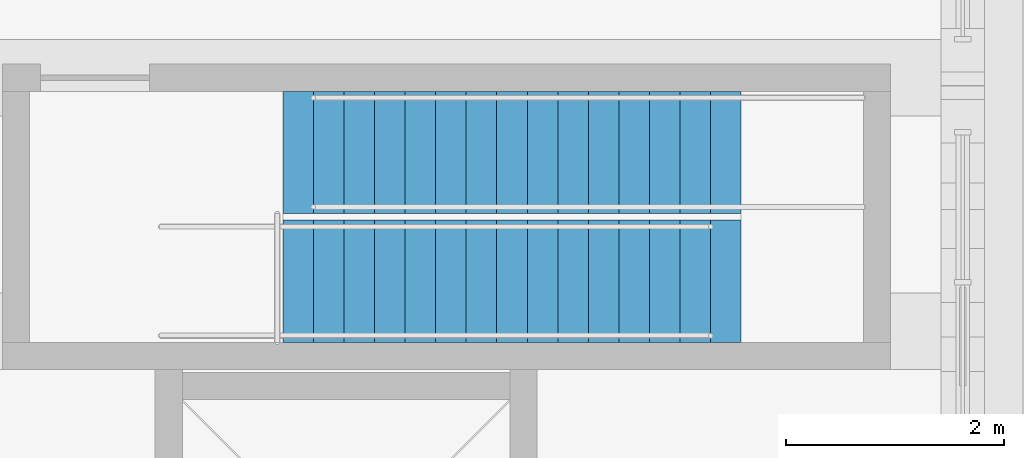
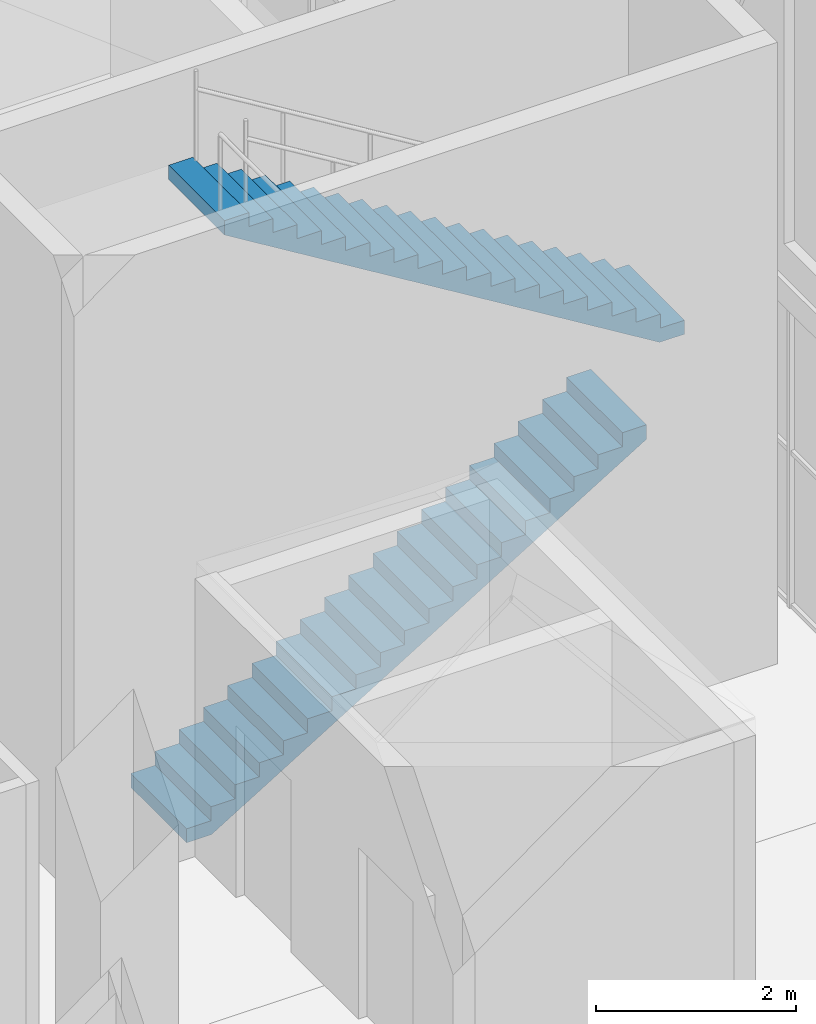
# One storey, part 104 of 130: 2 stair flights, 1 element without a shape of its own.
"""IFC4 building model written with IfcOpenShell, lengths in metres."""

import ifcopenshell
import ifcopenshell.guid

model = None  # the IFC model being written
_history = None  # IfcOwnerHistory: only IFC2X3 demands one
_inside = {}  # id of a spatial element -> (the spatial element, [elements in it])
_under = {}  # id of a project, library or spatial element -> (it, [spatial elements below it])
_declared = {}  # id of a project -> (the project, [libraries it declares])
_typed = {}  # id of a type object -> (the type object, [elements of that type])
_made_of = {}  # id of a material, layer set ... -> (it, [elements and type objects made of it])


def new_model(schema):
    """Start an empty IFC model of exactly this schema.

    Asked for "IFC4X3", IfcOpenShell would pick the latest addendum, in which some entities
    have other attributes; the version numbers below select the first issue.
    IFC2X3 requires an IfcOwnerHistory on every rooted entity: one is made here for all.
    """
    global model, _history
    if schema == "IFC4X3":
        model = ifcopenshell.file(schema_version=(4, 3, 0, 0))
    else:
        model = ifcopenshell.file(schema=schema)
    _inside.clear()
    _under.clear()
    _declared.clear()
    _typed.clear()
    _made_of.clear()
    _history = None
    if model.schema == "IFC2X3":
        org = make("IfcOrganization", Name="unknown")
        user = make(
            "IfcPersonAndOrganization",
            ThePerson=make("IfcPerson", FamilyName="unknown"),
            TheOrganization=org,
        )
        app = make(
            "IfcApplication",
            ApplicationDeveloper=org,
            Version="unknown",
            ApplicationFullName="unknown",
            ApplicationIdentifier="unknown",
        )
        _history = make(
            "IfcOwnerHistory",
            OwningUser=user,
            OwningApplication=app,
            ChangeAction="ADDED",
            CreationDate=0,
        )
    return model


def make(cls, **values):
    """One entity of the class cls with the attributes given. An attribute that is None is left unset."""
    return model.create_entity(
        cls, **{name: value for name, value in values.items() if value is not None}
    )


def rooted(cls, **values):
    """An entity with a GlobalId (a new one), such as an element, a storey or a relation."""
    return make(cls, GlobalId=ifcopenshell.guid.new(), OwnerHistory=_history, **values)


def si_unit(unit_type, name, prefix=None):
    """IfcSIUnit, for example si_unit("LENGTHUNIT", "METRE", prefix="MILLI")."""
    return make("IfcSIUnit", UnitType=unit_type, Prefix=prefix, Name=name)


def assignment(units):
    """IfcUnitAssignment: the units of a project."""
    return None if units is None else make("IfcUnitAssignment", Units=units)


def point(xyz):
    """IfcCartesianPoint."""
    return None if xyz is None else make("IfcCartesianPoint", Coordinates=xyz)


def direction(xyz):
    """IfcDirection."""
    return None if xyz is None else make("IfcDirection", DirectionRatios=xyz)


def frame(location, z_axis=None, x_axis=None):
    """IfcAxis2Placement3D, a coordinate frame: its origin and axes. An axis left out is left unset."""
    return make(
        "IfcAxis2Placement3D",
        Location=point(location),
        Axis=direction(z_axis),
        RefDirection=direction(x_axis),
    )


def origin():
    """The frame at (0, 0, 0) with its axes left unset."""
    return frame((0.0, 0.0, 0.0))


def place(relative_to, where):
    """IfcLocalPlacement: puts the frame where relative to a parent placement (None: the world)."""
    return make(
        "IfcLocalPlacement", PlacementRelTo=relative_to, RelativePlacement=where
    )


def context(
    kind, dimensions, precision=None, world=None, true_north=None, identifier=None
):
    """IfcGeometricRepresentationContext, for example the 3D "Model" context."""
    return make(
        "IfcGeometricRepresentationContext",
        ContextIdentifier=identifier,
        ContextType=kind,
        CoordinateSpaceDimension=dimensions,
        Precision=precision,
        WorldCoordinateSystem=world,
        TrueNorth=true_north,
    )


def subcontext(parent, identifier, kind, view, scale=None):
    """IfcGeometricRepresentationSubContext, for example "Body" below "Model"."""
    return make(
        "IfcGeometricRepresentationSubContext",
        ContextIdentifier=identifier,
        ContextType=kind,
        ParentContext=parent,
        TargetScale=scale,
        TargetView=view,
    )


def project(units=None, contexts=None):
    """IfcProject with its units and contexts."""
    return rooted(
        "IfcProject",
        Name="project",
        RepresentationContexts=contexts,
        UnitsInContext=assignment(units),
    )


def spatial(cls, under=None, at=None, **own):
    """A site, building, storey or space (cls), placed at a placement, below another one or the project."""
    s = rooted(cls, ObjectPlacement=at, **own)
    if under is not None:
        _under.setdefault(under.id(), (under, []))[1].append(s)
    return s


def faces_of(points, faces, orient=None, outer=None):
    """IfcFace entities. A face is a list of loops; a loop is a list of indices into points, from 0.

    orient and outer hold one flag for each loop. By default every Orientation is true, the
    first loop of a face is its IfcFaceOuterBound and the others are IfcFaceBound.
    """
    made = []
    for i, loops in enumerate(faces):
        bounds = []
        for j, loop in enumerate(loops):
            is_outer = j == 0 if outer is None else outer[i][j]
            bounds.append(
                make(
                    "IfcFaceOuterBound" if is_outer else "IfcFaceBound",
                    Bound=make("IfcPolyLoop", Polygon=[points[k] for k in loop]),
                    Orientation=True if orient is None else orient[i][j],
                )
            )
        made.append(make("IfcFace", Bounds=bounds))
    return made


def faceted_brep(points, faces, orient=None, outer=None, voids=None):
    """IfcFacetedBrep: a solid bounded by flat faces; with voids (closed shells), ...WithVoids."""
    shared = [point(p) for p in points]
    hull = make("IfcClosedShell", CfsFaces=faces_of(shared, faces, orient, outer))
    if voids is None:
        return make("IfcFacetedBrep", Outer=hull)
    return make(
        "IfcFacetedBrepWithVoids",
        Outer=hull,
        Voids=[
            make(cls, CfsFaces=faces_of(shared, fs, o, b)) for cls, fs, o, b in voids
        ],
    )


def shape(context_of_items, identifier, shape_type, items):
    """IfcShapeRepresentation: the items that make up one representation, for example the "Body"."""
    return make(
        "IfcShapeRepresentation",
        ContextOfItems=context_of_items,
        RepresentationIdentifier=identifier,
        RepresentationType=shape_type,
        Items=items,
    )


def material(Name=None, Category=None):
    """IfcMaterial."""
    return make("IfcMaterial", Name=Name, Category=Category)


def made_of(thing, what):
    """Note that an element or type object is made of a material, layer set ...; save() writes the relation."""
    if what is not None:
        _made_of.setdefault(what.id(), (what, []))[1].append(thing)
    return thing


def type_object(cls, material=None, **own):
    """A type object (cls), such as IfcWallType, which elements share."""
    return made_of(rooted(cls, **own), material)


def element(
    cls,
    number,
    at=None,
    inside=None,
    cuts=None,
    type_object=None,
    material=None,
    context=None,
    identifier="Body",
    shape_type=None,
    held_by="IfcProductDefinitionShape",
    body=None,
    shapes=None,
    **own,
):
    """One element of the class cls, such as IfcWall. Its Tag is "e" and its number.

    at: its placement. inside: the storey or other place that contains it. cuts: it is an
    opening in that element (IfcRelVoidsElement). A single representation is given by context,
    identifier, shape_type and body (its items); several are given by shapes. held_by: the class
    of the entity that holds the representations. save() writes the other relations.
    """
    e = rooted(cls, Tag="e%d" % number, ObjectPlacement=at, **own)
    if body is not None:
        shapes = [shape(context, identifier, shape_type, body)]
    if shapes is not None:
        e.Representation = make(held_by, Representations=shapes)
    if inside is not None:
        _inside.setdefault(inside.id(), (inside, []))[1].append(e)
    if cuts is not None:
        rooted(
            "IfcRelVoidsElement", RelatingBuildingElement=cuts, RelatedOpeningElement=e
        )
    if type_object is not None:
        _typed.setdefault(type_object.id(), (type_object, []))[1].append(e)
    return made_of(e, material)


def aggregate(whole, parts):
    """IfcRelAggregates: a whole, such as a stair, and the parts it consists of."""
    return rooted("IfcRelAggregates", RelatingObject=whole, RelatedObjects=parts)


def save(model, path):
    """Write the relations noted so far, then the file.

    IfcRelAggregates (storeys below a building ...), IfcRelContainedInSpatialStructure (elements
    in a storey), IfcRelDefinesByType, IfcRelAssociatesMaterial and IfcRelDeclares: one each for
    every whole, place, type object, material and project.
    """
    for whole, parts in _under.values():
        aggregate(whole, parts)
    for where, things in _inside.values():
        rooted(
            "IfcRelContainedInSpatialStructure",
            RelatedElements=things,
            RelatingStructure=where,
        )
    for kind, things in _typed.values():
        rooted("IfcRelDefinesByType", RelatedObjects=things, RelatingType=kind)
    for what, things in _made_of.values():
        rooted("IfcRelAssociatesMaterial", RelatedObjects=things, RelatingMaterial=what)
    for by, libraries in _declared.values():
        rooted("IfcRelDeclares", RelatingContext=by, RelatedDefinitions=libraries)
    model.write(path)


model = new_model("IFC4")

# Units and contexts
model_context = context("Model", 3, precision=1e-05, world=origin(), true_north=direction((0.0, 1.0)))
body_context = subcontext(model_context, "Body", "Model", "MODEL_VIEW")
ifc_project = project(units=[si_unit("LENGTHUNIT", "METRE"), si_unit("AREAUNIT", "SQUARE_METRE"), si_unit("VOLUMEUNIT", "CUBIC_METRE"), si_unit("PLANEANGLEUNIT", "RADIAN"), si_unit("MASSUNIT", "GRAM", prefix="KILO")], contexts=[model_context])

# Site, building, storey
site_placement = place(None, origin())
site = spatial("IfcSite", under=ifc_project, at=site_placement, CompositionType="ELEMENT")
building_placement = place(site_placement, origin())
building = spatial("IfcBuilding", under=site, at=building_placement, Name="Ogive Plaza Stadium", CompositionType="ELEMENT")
storey_placement = place(building_placement, frame((0.0, 0.0, 22.5)))
storey = spatial("IfcBuildingStorey", under=building, at=storey_placement, Name="L05", CompositionType="ELEMENT", Elevation=22.5)

# Stair, stair flights
ifc_material_1 = material(Name="Concrete C40/50", Category="concrete")
stair_type = type_object("IfcStairType", Name="Roof access stair", PredefinedType="STRAIGHT_RUN_STAIR", material=ifc_material_1)
stair_placement = place(storey_placement, origin())
stair = element("IfcStair", 1, at=stair_placement, inside=storey, type_object=stair_type, Name="Roof access stair RA1 L05 to Roof", PredefinedType="STRAIGHT_RUN_STAIR")
ifc_material_2 = material(Name="Concrete C40/50", Category="concrete")
stair_flight_type = type_object("IfcStairFlightType", Name="Roof access stair flight", PredefinedType="STRAIGHT", material=ifc_material_2)
stair_flight_1_placement = place(storey_placement, frame((76.449951171875, -4.090087890625, 0.0), z_axis=(0.0, 0.0, 1.0), x_axis=(1.0, 0.0, 0.0)))
stair_flight_1 = element("IfcStairFlight", 2, at=stair_flight_1_placement, type_object=stair_flight_type, Name="RA1 flight 1", NumberOfRisers=19, NumberOfTreads=18, PredefinedType="STRAIGHT", RiserHeight=0.171052632, TreadLength=0.28, context=body_context, shape_type="Brep", body=[
    faceted_brep([(0.28759765625, -0.56005859375, 0.0), (5.320068359375, -0.56005859375, 3.07421875), (5.320068359375, -0.56005859375, 3.25), (5.0400390625, -0.56005859375, 3.25), (5.0400390625, -0.56005859375, 3.078857421875), (4.760009765625, -0.56005859375, 3.078857421875), (4.760009765625, -0.56005859375, 2.907958984375), (4.47998046875, -0.56005859375, 2.907958984375), (4.47998046875, -0.56005859375, 2.73681640625), (4.199951171875, -0.56005859375, 2.73681640625), (4.199951171875, -0.56005859375, 2.565673828125), (3.919921875, -0.56005859375, 2.565673828125), (3.919921875, -0.56005859375, 2.394775390625), (3.639892578125, -0.56005859375, 2.394775390625), (3.639892578125, -0.56005859375, 2.2236328125), (3.360107421875, -0.56005859375, 2.2236328125), (3.360107421875, -0.56005859375, 2.052734375), (3.080078125, -0.56005859375, 2.052734375), (3.080078125, -0.56005859375, 1.881591796875), (2.800048828125, -0.56005859375, 1.881591796875), (2.800048828125, -0.56005859375, 1.71044921875), (2.52001953125, -0.56005859375, 1.71044921875), (2.52001953125, -0.56005859375, 1.53955078125), (2.239990234375, -0.56005859375, 1.53955078125), (2.239990234375, -0.56005859375, 1.368408203125), (1.9599609375, -0.56005859375, 1.368408203125), (1.9599609375, -0.56005859375, 1.197265625), (1.679931640625, -0.56005859375, 1.197265625), (1.679931640625, -0.56005859375, 1.0263671875), (1.39990234375, -0.56005859375, 1.0263671875), (1.39990234375, -0.56005859375, 0.855224609375), (1.1201171875, -0.56005859375, 0.855224609375), (1.1201171875, -0.56005859375, 0.684326171875), (0.840087890625, -0.56005859375, 0.684326171875), (0.840087890625, -0.56005859375, 0.51318359375), (0.56005859375, -0.56005859375, 0.51318359375), (0.56005859375, -0.56005859375, 0.342041015625), (0.280029296875, -0.56005859375, 0.342041015625), (0.280029296875, -0.56005859375, 0.171142578125), (0.0, -0.56005859375, 0.171142578125), (0.0, -0.56005859375, 0.0), (0.0, 0.56005859375, 0.0), (0.0, 0.56005859375, 0.171142578125), (0.280029296875, 0.56005859375, 0.171142578125), (0.280029296875, 0.56005859375, 0.342041015625), (0.56005859375, 0.56005859375, 0.342041015625), (0.56005859375, 0.56005859375, 0.51318359375), (0.840087890625, 0.56005859375, 0.51318359375), (0.840087890625, 0.56005859375, 0.684326171875), (1.1201171875, 0.56005859375, 0.684326171875), (1.1201171875, 0.56005859375, 0.855224609375), (1.39990234375, 0.56005859375, 0.855224609375), (1.39990234375, 0.56005859375, 1.0263671875), (1.679931640625, 0.56005859375, 1.0263671875), (1.679931640625, 0.56005859375, 1.197265625), (1.9599609375, 0.56005859375, 1.197265625), (1.9599609375, 0.56005859375, 1.368408203125), (2.239990234375, 0.56005859375, 1.368408203125), (2.239990234375, 0.56005859375, 1.53955078125), (2.52001953125, 0.56005859375, 1.53955078125), (2.52001953125, 0.56005859375, 1.71044921875), (2.800048828125, 0.56005859375, 1.71044921875), (2.800048828125, 0.56005859375, 1.881591796875), (3.080078125, 0.56005859375, 1.881591796875), (3.080078125, 0.56005859375, 2.052734375), (3.360107421875, 0.56005859375, 2.052734375), (3.360107421875, 0.56005859375, 2.2236328125), (3.639892578125, 0.56005859375, 2.2236328125), (3.639892578125, 0.56005859375, 2.394775390625), (3.919921875, 0.56005859375, 2.394775390625), (3.919921875, 0.56005859375, 2.565673828125), (4.199951171875, 0.56005859375, 2.565673828125), (4.199951171875, 0.56005859375, 2.73681640625), (4.47998046875, 0.56005859375, 2.73681640625), (4.47998046875, 0.56005859375, 2.907958984375), (4.760009765625, 0.56005859375, 2.907958984375), (4.760009765625, 0.56005859375, 3.078857421875), (5.0400390625, 0.56005859375, 3.078857421875), (5.0400390625, 0.56005859375, 3.25), (5.320068359375, 0.56005859375, 3.25), (5.320068359375, 0.56005859375, 3.07421875), (0.28759765625, 0.56005859375, 0.0), (0.28759765625, -0.280029296875, 0.0), (5.320068359375, -0.280029296875, 3.07421875), (0.28759765625, 0.0, 0.0), (5.320068359375, 0.0, 3.07421875), (0.28759765625, 0.280029296875, 0.0), (5.320068359375, 0.280029296875, 3.07421875), (5.320068359375, -0.280029296875, 3.25), (5.320068359375, 0.0, 3.25), (5.320068359375, 0.280029296875, 3.25), (5.0400390625, -0.280029296875, 3.25), (5.0400390625, 0.0, 3.25), (5.0400390625, 0.280029296875, 3.25), (5.0400390625, -0.280029296875, 3.078857421875), (5.0400390625, 0.0, 3.078857421875), (5.0400390625, 0.280029296875, 3.078857421875), (4.760009765625, -0.280029296875, 3.078857421875), (4.760009765625, 0.0, 3.078857421875), (4.760009765625, 0.280029296875, 3.078857421875), (4.760009765625, -0.280029296875, 2.907958984375), (4.760009765625, 0.0, 2.907958984375), (4.760009765625, 0.280029296875, 2.907958984375), (4.47998046875, -0.280029296875, 2.907958984375), (4.47998046875, 0.0, 2.907958984375), (4.47998046875, 0.280029296875, 2.907958984375), (4.47998046875, -0.280029296875, 2.73681640625), (4.47998046875, 0.0, 2.73681640625), (4.47998046875, 0.280029296875, 2.73681640625), (4.199951171875, -0.280029296875, 2.73681640625), (4.199951171875, 0.0, 2.73681640625), (4.199951171875, 0.280029296875, 2.73681640625), (4.199951171875, -0.280029296875, 2.565673828125), (4.199951171875, 0.0, 2.565673828125), (4.199951171875, 0.280029296875, 2.565673828125), (3.919921875, -0.280029296875, 2.565673828125), (3.919921875, 0.0, 2.565673828125), (3.919921875, 0.280029296875, 2.565673828125), (3.919921875, -0.280029296875, 2.394775390625), (3.919921875, 0.0, 2.394775390625), (3.919921875, 0.280029296875, 2.394775390625), (3.639892578125, -0.280029296875, 2.394775390625), (3.639892578125, 0.0, 2.394775390625), (3.639892578125, 0.280029296875, 2.394775390625), (3.639892578125, -0.280029296875, 2.2236328125), (3.639892578125, 0.0, 2.2236328125), (3.639892578125, 0.280029296875, 2.2236328125), (3.360107421875, -0.280029296875, 2.2236328125), (3.360107421875, 0.0, 2.2236328125), (3.360107421875, 0.280029296875, 2.2236328125), (3.360107421875, -0.280029296875, 2.052734375), (3.360107421875, 0.0, 2.052734375), (3.360107421875, 0.280029296875, 2.052734375), (3.080078125, -0.280029296875, 2.052734375), (3.080078125, 0.0, 2.052734375), (3.080078125, 0.280029296875, 2.052734375), (3.080078125, -0.280029296875, 1.881591796875), (3.080078125, 0.0, 1.881591796875), (3.080078125, 0.280029296875, 1.881591796875), (2.800048828125, -0.280029296875, 1.881591796875), (2.800048828125, 0.0, 1.881591796875), (2.800048828125, 0.280029296875, 1.881591796875), (2.800048828125, -0.280029296875, 1.71044921875), (2.800048828125, 0.0, 1.71044921875), (2.800048828125, 0.280029296875, 1.71044921875), (2.52001953125, -0.280029296875, 1.71044921875), (2.52001953125, 0.0, 1.71044921875), (2.52001953125, 0.280029296875, 1.71044921875), (2.52001953125, -0.280029296875, 1.53955078125), (2.52001953125, 0.0, 1.53955078125), (2.52001953125, 0.280029296875, 1.53955078125), (2.239990234375, -0.280029296875, 1.53955078125), (2.239990234375, 0.0, 1.53955078125), (2.239990234375, 0.280029296875, 1.53955078125), (2.239990234375, -0.280029296875, 1.368408203125), (2.239990234375, 0.0, 1.368408203125), (2.239990234375, 0.280029296875, 1.368408203125), (1.9599609375, -0.280029296875, 1.368408203125), (1.9599609375, 0.0, 1.368408203125), (1.9599609375, 0.280029296875, 1.368408203125), (1.9599609375, -0.280029296875, 1.197265625), (1.9599609375, 0.0, 1.197265625), (1.9599609375, 0.280029296875, 1.197265625), (1.679931640625, -0.280029296875, 1.197265625), (1.679931640625, 0.0, 1.197265625), (1.679931640625, 0.280029296875, 1.197265625), (1.679931640625, -0.280029296875, 1.0263671875), (1.679931640625, 0.0, 1.0263671875), (1.679931640625, 0.280029296875, 1.0263671875), (1.39990234375, -0.280029296875, 1.0263671875), (1.39990234375, 0.0, 1.0263671875), (1.39990234375, 0.280029296875, 1.0263671875), (1.39990234375, -0.280029296875, 0.855224609375), (1.39990234375, 0.0, 0.855224609375), (1.39990234375, 0.280029296875, 0.855224609375), (1.1201171875, -0.280029296875, 0.855224609375), (1.1201171875, 0.0, 0.855224609375), (1.1201171875, 0.280029296875, 0.855224609375), (1.1201171875, -0.280029296875, 0.684326171875), (1.1201171875, 0.0, 0.684326171875), (1.1201171875, 0.280029296875, 0.684326171875), (0.840087890625, -0.280029296875, 0.684326171875), (0.840087890625, 0.0, 0.684326171875), (0.840087890625, 0.280029296875, 0.684326171875), (0.840087890625, -0.280029296875, 0.51318359375), (0.840087890625, 0.0, 0.51318359375), (0.840087890625, 0.280029296875, 0.51318359375), (0.56005859375, -0.280029296875, 0.51318359375), (0.56005859375, 0.0, 0.51318359375), (0.56005859375, 0.280029296875, 0.51318359375), (0.56005859375, -0.280029296875, 0.342041015625), (0.56005859375, 0.0, 0.342041015625), (0.56005859375, 0.280029296875, 0.342041015625), (0.280029296875, -0.280029296875, 0.342041015625), (0.280029296875, 0.0, 0.342041015625), (0.280029296875, 0.280029296875, 0.342041015625), (0.280029296875, -0.280029296875, 0.171142578125), (0.280029296875, 0.0, 0.171142578125), (0.280029296875, 0.280029296875, 0.171142578125), (0.0, -0.280029296875, 0.171142578125), (0.0, 0.0, 0.171142578125), (0.0, 0.280029296875, 0.171142578125), (0.0, -0.280029296875, 0.0), (0.0, 0.0, 0.0), (0.0, 0.280029296875, 0.0)], [[[0, 1, 2, 3, 4, 5, 6, 7, 8, 9, 10, 11, 12, 13, 14, 15, 16, 17, 18, 19, 20, 21, 22, 23, 24, 25, 26, 27, 28, 29, 30, 31, 32, 33, 34, 35, 36, 37, 38, 39, 40]], [[41, 42, 43, 44, 45, 46, 47, 48, 49, 50, 51, 52, 53, 54, 55, 56, 57, 58, 59, 60, 61, 62, 63, 64, 65, 66, 67, 68, 69, 70, 71, 72, 73, 74, 75, 76, 77, 78, 79, 80, 81]], [[0, 82, 83, 1]], [[82, 84, 85, 83]], [[84, 86, 87, 85]], [[86, 81, 80, 87]], [[1, 83, 88, 2]], [[83, 85, 89, 88]], [[85, 87, 90, 89]], [[87, 80, 79, 90]], [[2, 88, 91, 3]], [[88, 89, 92, 91]], [[89, 90, 93, 92]], [[90, 79, 78, 93]], [[3, 91, 94, 4]], [[91, 92, 95, 94]], [[92, 93, 96, 95]], [[93, 78, 77, 96]], [[4, 94, 97, 5]], [[94, 95, 98, 97]], [[95, 96, 99, 98]], [[96, 77, 76, 99]], [[5, 97, 100, 6]], [[97, 98, 101, 100]], [[98, 99, 102, 101]], [[99, 76, 75, 102]], [[6, 100, 103, 7]], [[100, 101, 104, 103]], [[101, 102, 105, 104]], [[102, 75, 74, 105]], [[7, 103, 106, 8]], [[103, 104, 107, 106]], [[104, 105, 108, 107]], [[105, 74, 73, 108]], [[8, 106, 109, 9]], [[106, 107, 110, 109]], [[107, 108, 111, 110]], [[108, 73, 72, 111]], [[9, 109, 112, 10]], [[109, 110, 113, 112]], [[110, 111, 114, 113]], [[111, 72, 71, 114]], [[10, 112, 115, 11]], [[112, 113, 116, 115]], [[113, 114, 117, 116]], [[114, 71, 70, 117]], [[11, 115, 118, 12]], [[115, 116, 119, 118]], [[116, 117, 120, 119]], [[117, 70, 69, 120]], [[12, 118, 121, 13]], [[118, 119, 122, 121]], [[119, 120, 123, 122]], [[120, 69, 68, 123]], [[13, 121, 124, 14]], [[121, 122, 125, 124]], [[122, 123, 126, 125]], [[123, 68, 67, 126]], [[14, 124, 127, 15]], [[124, 125, 128, 127]], [[125, 126, 129, 128]], [[126, 67, 66, 129]], [[15, 127, 130, 16]], [[127, 128, 131, 130]], [[128, 129, 132, 131]], [[129, 66, 65, 132]], [[16, 130, 133, 17]], [[130, 131, 134, 133]], [[131, 132, 135, 134]], [[132, 65, 64, 135]], [[17, 133, 136, 18]], [[133, 134, 137, 136]], [[134, 135, 138, 137]], [[135, 64, 63, 138]], [[18, 136, 139, 19]], [[136, 137, 140, 139]], [[137, 138, 141, 140]], [[138, 63, 62, 141]], [[19, 139, 142, 20]], [[139, 140, 143, 142]], [[140, 141, 144, 143]], [[141, 62, 61, 144]], [[20, 142, 145, 21]], [[142, 143, 146, 145]], [[143, 144, 147, 146]], [[144, 61, 60, 147]], [[21, 145, 148, 22]], [[145, 146, 149, 148]], [[146, 147, 150, 149]], [[147, 60, 59, 150]], [[22, 148, 151, 23]], [[148, 149, 152, 151]], [[149, 150, 153, 152]], [[150, 59, 58, 153]], [[23, 151, 154, 24]], [[151, 152, 155, 154]], [[152, 153, 156, 155]], [[153, 58, 57, 156]], [[24, 154, 157, 25]], [[154, 155, 158, 157]], [[155, 156, 159, 158]], [[156, 57, 56, 159]], [[25, 157, 160, 26]], [[157, 158, 161, 160]], [[158, 159, 162, 161]], [[159, 56, 55, 162]], [[26, 160, 163, 27]], [[160, 161, 164, 163]], [[161, 162, 165, 164]], [[162, 55, 54, 165]], [[27, 163, 166, 28]], [[163, 164, 167, 166]], [[164, 165, 168, 167]], [[165, 54, 53, 168]], [[28, 166, 169, 29]], [[166, 167, 170, 169]], [[167, 168, 171, 170]], [[168, 53, 52, 171]], [[29, 169, 172, 30]], [[169, 170, 173, 172]], [[170, 171, 174, 173]], [[171, 52, 51, 174]], [[30, 172, 175, 31]], [[172, 173, 176, 175]], [[173, 174, 177, 176]], [[174, 51, 50, 177]], [[31, 175, 178, 32]], [[175, 176, 179, 178]], [[176, 177, 180, 179]], [[177, 50, 49, 180]], [[32, 178, 181, 33]], [[178, 179, 182, 181]], [[179, 180, 183, 182]], [[180, 49, 48, 183]], [[33, 181, 184, 34]], [[181, 182, 185, 184]], [[182, 183, 186, 185]], [[183, 48, 47, 186]], [[34, 184, 187, 35]], [[184, 185, 188, 187]], [[185, 186, 189, 188]], [[186, 47, 46, 189]], [[35, 187, 190, 36]], [[187, 188, 191, 190]], [[188, 189, 192, 191]], [[189, 46, 45, 192]], [[36, 190, 193, 37]], [[190, 191, 194, 193]], [[191, 192, 195, 194]], [[192, 45, 44, 195]], [[37, 193, 196, 38]], [[193, 194, 197, 196]], [[194, 195, 198, 197]], [[195, 44, 43, 198]], [[38, 196, 199, 39]], [[196, 197, 200, 199]], [[197, 198, 201, 200]], [[198, 43, 42, 201]], [[39, 199, 202, 40]], [[199, 200, 203, 202]], [[200, 201, 204, 203]], [[201, 42, 41, 204]], [[40, 202, 82, 0]], [[202, 203, 84, 82]], [[203, 204, 86, 84]], [[204, 41, 81, 86]]]),
])
stair_flight_2_placement = place(storey_placement, frame((82.889892578125, -2.909912109375, 3.25), z_axis=(0.0, 0.0, 1.0), x_axis=(-1.0, 0.0, 0.0)))
stair_flight_2 = element("IfcStairFlight", 3, at=stair_flight_2_placement, type_object=stair_flight_type, Name="RA1 flight 2", NumberOfRisers=19, NumberOfTreads=18, PredefinedType="STRAIGHT", RiserHeight=0.171052632, TreadLength=0.28, context=body_context, shape_type="Brep", body=[
    faceted_brep([(0.28759765625, -0.56005859375, 0.0), (5.320068359375, -0.56005859375, 3.07421875), (5.320068359375, -0.56005859375, 3.25), (5.0400390625, -0.56005859375, 3.25), (5.0400390625, -0.56005859375, 3.078857421875), (4.760009765625, -0.56005859375, 3.078857421875), (4.760009765625, -0.56005859375, 2.907958984375), (4.47998046875, -0.56005859375, 2.907958984375), (4.47998046875, -0.56005859375, 2.73681640625), (4.199951171875, -0.56005859375, 2.73681640625), (4.199951171875, -0.56005859375, 2.565673828125), (3.919921875, -0.56005859375, 2.565673828125), (3.919921875, -0.56005859375, 2.394775390625), (3.639892578125, -0.56005859375, 2.394775390625), (3.639892578125, -0.56005859375, 2.2236328125), (3.360107421875, -0.56005859375, 2.2236328125), (3.360107421875, -0.56005859375, 2.052734375), (3.080078125, -0.56005859375, 2.052734375), (3.080078125, -0.56005859375, 1.881591796875), (2.800048828125, -0.56005859375, 1.881591796875), (2.800048828125, -0.56005859375, 1.71044921875), (2.52001953125, -0.56005859375, 1.71044921875), (2.52001953125, -0.56005859375, 1.53955078125), (2.239990234375, -0.56005859375, 1.53955078125), (2.239990234375, -0.56005859375, 1.368408203125), (1.9599609375, -0.56005859375, 1.368408203125), (1.9599609375, -0.56005859375, 1.197265625), (1.679931640625, -0.56005859375, 1.197265625), (1.679931640625, -0.56005859375, 1.0263671875), (1.39990234375, -0.56005859375, 1.0263671875), (1.39990234375, -0.56005859375, 0.855224609375), (1.1201171875, -0.56005859375, 0.855224609375), (1.1201171875, -0.56005859375, 0.684326171875), (0.840087890625, -0.56005859375, 0.684326171875), (0.840087890625, -0.56005859375, 0.51318359375), (0.56005859375, -0.56005859375, 0.51318359375), (0.56005859375, -0.56005859375, 0.342041015625), (0.280029296875, -0.56005859375, 0.342041015625), (0.280029296875, -0.56005859375, 0.171142578125), (0.0, -0.56005859375, 0.171142578125), (0.0, -0.56005859375, 0.0), (0.0, 0.56005859375, 0.0), (0.0, 0.56005859375, 0.171142578125), (0.280029296875, 0.56005859375, 0.171142578125), (0.280029296875, 0.56005859375, 0.342041015625), (0.56005859375, 0.56005859375, 0.342041015625), (0.56005859375, 0.56005859375, 0.51318359375), (0.840087890625, 0.56005859375, 0.51318359375), (0.840087890625, 0.56005859375, 0.684326171875), (1.1201171875, 0.56005859375, 0.684326171875), (1.1201171875, 0.56005859375, 0.855224609375), (1.39990234375, 0.56005859375, 0.855224609375), (1.39990234375, 0.56005859375, 1.0263671875), (1.679931640625, 0.56005859375, 1.0263671875), (1.679931640625, 0.56005859375, 1.197265625), (1.9599609375, 0.56005859375, 1.197265625), (1.9599609375, 0.56005859375, 1.368408203125), (2.239990234375, 0.56005859375, 1.368408203125), (2.239990234375, 0.56005859375, 1.53955078125), (2.52001953125, 0.56005859375, 1.53955078125), (2.52001953125, 0.56005859375, 1.71044921875), (2.800048828125, 0.56005859375, 1.71044921875), (2.800048828125, 0.56005859375, 1.881591796875), (3.080078125, 0.56005859375, 1.881591796875), (3.080078125, 0.56005859375, 2.052734375), (3.360107421875, 0.56005859375, 2.052734375), (3.360107421875, 0.56005859375, 2.2236328125), (3.639892578125, 0.56005859375, 2.2236328125), (3.639892578125, 0.56005859375, 2.394775390625), (3.919921875, 0.56005859375, 2.394775390625), (3.919921875, 0.56005859375, 2.565673828125), (4.199951171875, 0.56005859375, 2.565673828125), (4.199951171875, 0.56005859375, 2.73681640625), (4.47998046875, 0.56005859375, 2.73681640625), (4.47998046875, 0.56005859375, 2.907958984375), (4.760009765625, 0.56005859375, 2.907958984375), (4.760009765625, 0.56005859375, 3.078857421875), (5.0400390625, 0.56005859375, 3.078857421875), (5.0400390625, 0.56005859375, 3.25), (5.320068359375, 0.56005859375, 3.25), (5.320068359375, 0.56005859375, 3.07421875), (0.28759765625, 0.56005859375, 0.0), (0.28759765625, -0.280029296875, 0.0), (5.320068359375, -0.280029296875, 3.07421875), (0.28759765625, 0.0, 0.0), (5.320068359375, 0.0, 3.07421875), (0.28759765625, 0.280029296875, 0.0), (5.320068359375, 0.280029296875, 3.07421875), (5.320068359375, -0.280029296875, 3.25), (5.320068359375, 0.0, 3.25), (5.320068359375, 0.280029296875, 3.25), (5.0400390625, -0.280029296875, 3.25), (5.0400390625, 0.0, 3.25), (5.0400390625, 0.280029296875, 3.25), (5.0400390625, -0.280029296875, 3.078857421875), (5.0400390625, 0.0, 3.078857421875), (5.0400390625, 0.280029296875, 3.078857421875), (4.760009765625, -0.280029296875, 3.078857421875), (4.760009765625, 0.0, 3.078857421875), (4.760009765625, 0.280029296875, 3.078857421875), (4.760009765625, -0.280029296875, 2.907958984375), (4.760009765625, 0.0, 2.907958984375), (4.760009765625, 0.280029296875, 2.907958984375), (4.47998046875, -0.280029296875, 2.907958984375), (4.47998046875, 0.0, 2.907958984375), (4.47998046875, 0.280029296875, 2.907958984375), (4.47998046875, -0.280029296875, 2.73681640625), (4.47998046875, 0.0, 2.73681640625), (4.47998046875, 0.280029296875, 2.73681640625), (4.199951171875, -0.280029296875, 2.73681640625), (4.199951171875, 0.0, 2.73681640625), (4.199951171875, 0.280029296875, 2.73681640625), (4.199951171875, -0.280029296875, 2.565673828125), (4.199951171875, 0.0, 2.565673828125), (4.199951171875, 0.280029296875, 2.565673828125), (3.919921875, -0.280029296875, 2.565673828125), (3.919921875, 0.0, 2.565673828125), (3.919921875, 0.280029296875, 2.565673828125), (3.919921875, -0.280029296875, 2.394775390625), (3.919921875, 0.0, 2.394775390625), (3.919921875, 0.280029296875, 2.394775390625), (3.639892578125, -0.280029296875, 2.394775390625), (3.639892578125, 0.0, 2.394775390625), (3.639892578125, 0.280029296875, 2.394775390625), (3.639892578125, -0.280029296875, 2.2236328125), (3.639892578125, 0.0, 2.2236328125), (3.639892578125, 0.280029296875, 2.2236328125), (3.360107421875, -0.280029296875, 2.2236328125), (3.360107421875, 0.0, 2.2236328125), (3.360107421875, 0.280029296875, 2.2236328125), (3.360107421875, -0.280029296875, 2.052734375), (3.360107421875, 0.0, 2.052734375), (3.360107421875, 0.280029296875, 2.052734375), (3.080078125, -0.280029296875, 2.052734375), (3.080078125, 0.0, 2.052734375), (3.080078125, 0.280029296875, 2.052734375), (3.080078125, -0.280029296875, 1.881591796875), (3.080078125, 0.0, 1.881591796875), (3.080078125, 0.280029296875, 1.881591796875), (2.800048828125, -0.280029296875, 1.881591796875), (2.800048828125, 0.0, 1.881591796875), (2.800048828125, 0.280029296875, 1.881591796875), (2.800048828125, -0.280029296875, 1.71044921875), (2.800048828125, 0.0, 1.71044921875), (2.800048828125, 0.280029296875, 1.71044921875), (2.52001953125, -0.280029296875, 1.71044921875), (2.52001953125, 0.0, 1.71044921875), (2.52001953125, 0.280029296875, 1.71044921875), (2.52001953125, -0.280029296875, 1.53955078125), (2.52001953125, 0.0, 1.53955078125), (2.52001953125, 0.280029296875, 1.53955078125), (2.239990234375, -0.280029296875, 1.53955078125), (2.239990234375, 0.0, 1.53955078125), (2.239990234375, 0.280029296875, 1.53955078125), (2.239990234375, -0.280029296875, 1.368408203125), (2.239990234375, 0.0, 1.368408203125), (2.239990234375, 0.280029296875, 1.368408203125), (1.9599609375, -0.280029296875, 1.368408203125), (1.9599609375, 0.0, 1.368408203125), (1.9599609375, 0.280029296875, 1.368408203125), (1.9599609375, -0.280029296875, 1.197265625), (1.9599609375, 0.0, 1.197265625), (1.9599609375, 0.280029296875, 1.197265625), (1.679931640625, -0.280029296875, 1.197265625), (1.679931640625, 0.0, 1.197265625), (1.679931640625, 0.280029296875, 1.197265625), (1.679931640625, -0.280029296875, 1.0263671875), (1.679931640625, 0.0, 1.0263671875), (1.679931640625, 0.280029296875, 1.0263671875), (1.39990234375, -0.280029296875, 1.0263671875), (1.39990234375, 0.0, 1.0263671875), (1.39990234375, 0.280029296875, 1.0263671875), (1.39990234375, -0.280029296875, 0.855224609375), (1.39990234375, 0.0, 0.855224609375), (1.39990234375, 0.280029296875, 0.855224609375), (1.1201171875, -0.280029296875, 0.855224609375), (1.1201171875, 0.0, 0.855224609375), (1.1201171875, 0.280029296875, 0.855224609375), (1.1201171875, -0.280029296875, 0.684326171875), (1.1201171875, 0.0, 0.684326171875), (1.1201171875, 0.280029296875, 0.684326171875), (0.840087890625, -0.280029296875, 0.684326171875), (0.840087890625, 0.0, 0.684326171875), (0.840087890625, 0.280029296875, 0.684326171875), (0.840087890625, -0.280029296875, 0.51318359375), (0.840087890625, 0.0, 0.51318359375), (0.840087890625, 0.280029296875, 0.51318359375), (0.56005859375, -0.280029296875, 0.51318359375), (0.56005859375, 0.0, 0.51318359375), (0.56005859375, 0.280029296875, 0.51318359375), (0.56005859375, -0.280029296875, 0.342041015625), (0.56005859375, 0.0, 0.342041015625), (0.56005859375, 0.280029296875, 0.342041015625), (0.280029296875, -0.280029296875, 0.342041015625), (0.280029296875, 0.0, 0.342041015625), (0.280029296875, 0.280029296875, 0.342041015625), (0.280029296875, -0.280029296875, 0.171142578125), (0.280029296875, 0.0, 0.171142578125), (0.280029296875, 0.280029296875, 0.171142578125), (0.0, -0.280029296875, 0.171142578125), (0.0, 0.0, 0.171142578125), (0.0, 0.280029296875, 0.171142578125), (0.0, -0.280029296875, 0.0), (0.0, 0.0, 0.0), (0.0, 0.280029296875, 0.0)], [[[0, 1, 2, 3, 4, 5, 6, 7, 8, 9, 10, 11, 12, 13, 14, 15, 16, 17, 18, 19, 20, 21, 22, 23, 24, 25, 26, 27, 28, 29, 30, 31, 32, 33, 34, 35, 36, 37, 38, 39, 40]], [[41, 42, 43, 44, 45, 46, 47, 48, 49, 50, 51, 52, 53, 54, 55, 56, 57, 58, 59, 60, 61, 62, 63, 64, 65, 66, 67, 68, 69, 70, 71, 72, 73, 74, 75, 76, 77, 78, 79, 80, 81]], [[0, 82, 83, 1]], [[82, 84, 85, 83]], [[84, 86, 87, 85]], [[86, 81, 80, 87]], [[1, 83, 88, 2]], [[83, 85, 89, 88]], [[85, 87, 90, 89]], [[87, 80, 79, 90]], [[2, 88, 91, 3]], [[88, 89, 92, 91]], [[89, 90, 93, 92]], [[90, 79, 78, 93]], [[3, 91, 94, 4]], [[91, 92, 95, 94]], [[92, 93, 96, 95]], [[93, 78, 77, 96]], [[4, 94, 97, 5]], [[94, 95, 98, 97]], [[95, 96, 99, 98]], [[96, 77, 76, 99]], [[5, 97, 100, 6]], [[97, 98, 101, 100]], [[98, 99, 102, 101]], [[99, 76, 75, 102]], [[6, 100, 103, 7]], [[100, 101, 104, 103]], [[101, 102, 105, 104]], [[102, 75, 74, 105]], [[7, 103, 106, 8]], [[103, 104, 107, 106]], [[104, 105, 108, 107]], [[105, 74, 73, 108]], [[8, 106, 109, 9]], [[106, 107, 110, 109]], [[107, 108, 111, 110]], [[108, 73, 72, 111]], [[9, 109, 112, 10]], [[109, 110, 113, 112]], [[110, 111, 114, 113]], [[111, 72, 71, 114]], [[10, 112, 115, 11]], [[112, 113, 116, 115]], [[113, 114, 117, 116]], [[114, 71, 70, 117]], [[11, 115, 118, 12]], [[115, 116, 119, 118]], [[116, 117, 120, 119]], [[117, 70, 69, 120]], [[12, 118, 121, 13]], [[118, 119, 122, 121]], [[119, 120, 123, 122]], [[120, 69, 68, 123]], [[13, 121, 124, 14]], [[121, 122, 125, 124]], [[122, 123, 126, 125]], [[123, 68, 67, 126]], [[14, 124, 127, 15]], [[124, 125, 128, 127]], [[125, 126, 129, 128]], [[126, 67, 66, 129]], [[15, 127, 130, 16]], [[127, 128, 131, 130]], [[128, 129, 132, 131]], [[129, 66, 65, 132]], [[16, 130, 133, 17]], [[130, 131, 134, 133]], [[131, 132, 135, 134]], [[132, 65, 64, 135]], [[17, 133, 136, 18]], [[133, 134, 137, 136]], [[134, 135, 138, 137]], [[135, 64, 63, 138]], [[18, 136, 139, 19]], [[136, 137, 140, 139]], [[137, 138, 141, 140]], [[138, 63, 62, 141]], [[19, 139, 142, 20]], [[139, 140, 143, 142]], [[140, 141, 144, 143]], [[141, 62, 61, 144]], [[20, 142, 145, 21]], [[142, 143, 146, 145]], [[143, 144, 147, 146]], [[144, 61, 60, 147]], [[21, 145, 148, 22]], [[145, 146, 149, 148]], [[146, 147, 150, 149]], [[147, 60, 59, 150]], [[22, 148, 151, 23]], [[148, 149, 152, 151]], [[149, 150, 153, 152]], [[150, 59, 58, 153]], [[23, 151, 154, 24]], [[151, 152, 155, 154]], [[152, 153, 156, 155]], [[153, 58, 57, 156]], [[24, 154, 157, 25]], [[154, 155, 158, 157]], [[155, 156, 159, 158]], [[156, 57, 56, 159]], [[25, 157, 160, 26]], [[157, 158, 161, 160]], [[158, 159, 162, 161]], [[159, 56, 55, 162]], [[26, 160, 163, 27]], [[160, 161, 164, 163]], [[161, 162, 165, 164]], [[162, 55, 54, 165]], [[27, 163, 166, 28]], [[163, 164, 167, 166]], [[164, 165, 168, 167]], [[165, 54, 53, 168]], [[28, 166, 169, 29]], [[166, 167, 170, 169]], [[167, 168, 171, 170]], [[168, 53, 52, 171]], [[29, 169, 172, 30]], [[169, 170, 173, 172]], [[170, 171, 174, 173]], [[171, 52, 51, 174]], [[30, 172, 175, 31]], [[172, 173, 176, 175]], [[173, 174, 177, 176]], [[174, 51, 50, 177]], [[31, 175, 178, 32]], [[175, 176, 179, 178]], [[176, 177, 180, 179]], [[177, 50, 49, 180]], [[32, 178, 181, 33]], [[178, 179, 182, 181]], [[179, 180, 183, 182]], [[180, 49, 48, 183]], [[33, 181, 184, 34]], [[181, 182, 185, 184]], [[182, 183, 186, 185]], [[183, 48, 47, 186]], [[34, 184, 187, 35]], [[184, 185, 188, 187]], [[185, 186, 189, 188]], [[186, 47, 46, 189]], [[35, 187, 190, 36]], [[187, 188, 191, 190]], [[188, 189, 192, 191]], [[189, 46, 45, 192]], [[36, 190, 193, 37]], [[190, 191, 194, 193]], [[191, 192, 195, 194]], [[192, 45, 44, 195]], [[37, 193, 196, 38]], [[193, 194, 197, 196]], [[194, 195, 198, 197]], [[195, 44, 43, 198]], [[38, 196, 199, 39]], [[196, 197, 200, 199]], [[197, 198, 201, 200]], [[198, 43, 42, 201]], [[39, 199, 202, 40]], [[199, 200, 203, 202]], [[200, 201, 204, 203]], [[201, 42, 41, 204]], [[40, 202, 82, 0]], [[202, 203, 84, 82]], [[203, 204, 86, 84]], [[204, 41, 81, 86]]]),
])
aggregate(stair, [stair_flight_1, stair_flight_2])

save(model, "model.ifc")
